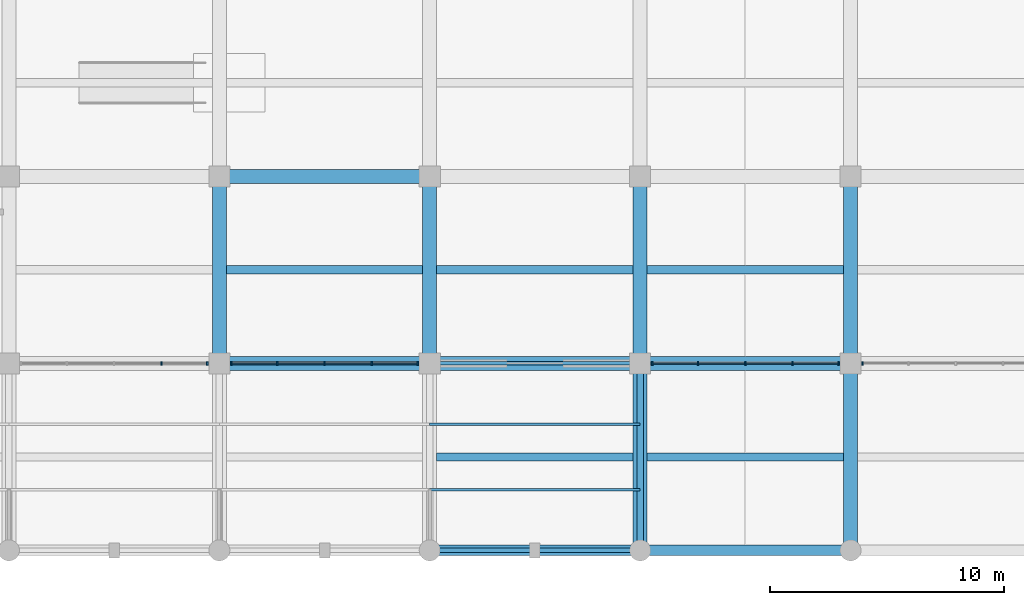
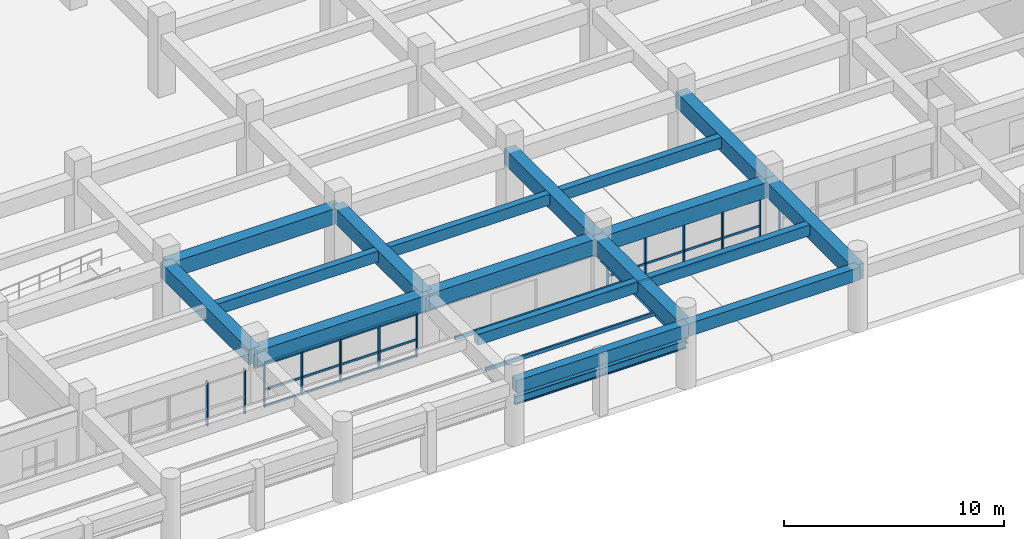
# One storey, part 7 of 40: 24 members, 18 beams, 4 elements without a shape of their own.
"""IFC4 building model written with IfcOpenShell, lengths in metres."""

from ifc_helpers import new_model, si_unit, direction, frame, origin, origin_2d, place, context, subcontext, project, spatial, rectangle, hollow_rectangle, i_section, extrude, material, material_profile, profile_set, type_object, element, aggregate, save


model = new_model("IFC4")

# Units and contexts
model_context = context("Model", 3, precision=1e-05, world=origin(), true_north=direction((0.0, 1.0)))
body_context = subcontext(model_context, "Body", "Model", "MODEL_VIEW")
ifc_project = project(units=[si_unit("LENGTHUNIT", "METRE"), si_unit("AREAUNIT", "SQUARE_METRE"), si_unit("VOLUMEUNIT", "CUBIC_METRE"), si_unit("PLANEANGLEUNIT", "RADIAN"), si_unit("MASSUNIT", "GRAM", prefix="KILO")], contexts=[model_context])

# Site, building, storey
site_placement = place(None, origin())
site = spatial("IfcSite", under=ifc_project, at=site_placement, CompositionType="ELEMENT")
building_placement = place(site_placement, origin())
building = spatial("IfcBuilding", under=site, at=building_placement, Name="Zaverband Oceanarium and Marine Research Institute", CompositionType="ELEMENT")
storey_placement = place(building_placement, origin())
storey = spatial("IfcBuildingStorey", under=building, at=storey_placement, Name="L00", CompositionType="ELEMENT", Elevation=0.0)

# Beams
ifc_material_1 = material(Name="Concrete C40/50", Category="concrete")
ifc_material_profile_1 = material_profile(ifc_material_1, rectangle(XDim=0.60009765625, YDim=0.85009765625, at=origin_2d()), Name="RC600x850")
ifc_profile_set_1 = profile_set([ifc_material_profile_1], Name="Concrete C40/50")
beam_type_1 = type_object("IfcBeamType", Name="BM-600x850", PredefinedType="BEAM", material=ifc_profile_set_1)
for number, where, z_axis, x_axis, name in (
    (1, (99.0, 8.0, 3.02490234375), (1.0, 0.0, 0.0), (0.0, 1.0, 0.0), "Primary floor girder BM-600x850"),
    (2, (108.0, 8.0, 3.02490234375), (1.0, 0.0, 0.0), (0.0, 1.0, 0.0), "Primary floor girder BM-600x850"),
    (3, (117.0, 8.0, 3.02490234375), (1.0, 0.0, 0.0), (0.0, 1.0, 0.0), "Primary floor girder BM-600x850"),
    (4, (99.0, 16.0, 3.02490234375), (1.0, 0.0, 0.0), (0.0, 1.0, 0.0), "Primary floor girder BM-600x850"),
):
    element("IfcBeam", number, at=place(storey_placement, frame(where, z_axis=z_axis, x_axis=x_axis)), inside=storey, type_object=beam_type_1, Name=name, PredefinedType="BEAM", context=body_context, shape_type="SweptSolid", body=[
        extrude(rectangle(XDim=0.60009765625, YDim=0.85009765625, at=origin_2d()), origin(), (0.0, 0.0, 1.0), 9.0),
    ])
for number, where, z_axis, x_axis, name in (
    (5, (99.0, 8.0, 3.02490234375), (0.0, 1.0, 0.0), (-1.0, 0.0, 0.0), "Primary floor girder BM-600x850"),
    (6, (108.0, 8.0, 3.02490234375), (0.0, 1.0, 0.0), (-1.0, 0.0, 0.0), "Primary floor girder BM-600x850"),
    (7, (117.0, 0.0, 3.02490234375), (0.0, 1.0, 0.0), (-1.0, 0.0, 0.0), "Primary floor girder BM-600x850"),
    (8, (117.0, 8.0, 3.02490234375), (0.0, 1.0, 0.0), (-1.0, 0.0, 0.0), "Primary floor girder BM-600x850"),
    (9, (126.0, 0.0, 3.02490234375), (0.0, 1.0, 0.0), (-1.0, 0.0, 0.0), "Primary floor girder BM-600x850"),
    (10, (126.0, 8.0, 3.02490234375), (0.0, 1.0, 0.0), (-1.0, 0.0, 0.0), "Primary floor girder BM-600x850"),
):
    element("IfcBeam", number, at=place(storey_placement, frame(where, z_axis=z_axis, x_axis=x_axis)), inside=storey, type_object=beam_type_1, Name=name, PredefinedType="BEAM", context=body_context, shape_type="SweptSolid", body=[
        extrude(rectangle(XDim=0.60009765625, YDim=0.85009765625, at=origin_2d()), origin(), (0.0, 0.0, 1.0), 8.0),
    ])

# Members
ifc_material_2 = material(Name="Steel S355", Category="steel")
ifc_material_profile_2 = material_profile(ifc_material_2, hollow_rectangle(XDim=0.14990234375, YDim=0.25, WallThickness=0.010009765625, at=origin_2d()), Name="RHS250x150x10")
ifc_profile_set_2 = profile_set([ifc_material_profile_2], Name="Steel S355")
member_type_1 = type_object("IfcMemberType", Name="CHD-RHS250", PredefinedType="CHORD", material=ifc_profile_set_2)
for number, where, z_axis, x_axis, name in (
    (11, (99.0, 8.0, 2.4599609375), (1.0, 0.0, 0.0), (0.0, 1.0, 0.0), "Truss / crown chord CHD-RHS250"),
    (12, (108.0, 8.0, 2.4599609375), (1.0, 0.0, 0.0), (0.0, 1.0, 0.0), "Truss / crown chord CHD-RHS250"),
):
    element("IfcMember", number, at=place(storey_placement, frame(where, z_axis=z_axis, x_axis=x_axis)), inside=storey, type_object=member_type_1, Name=name, PredefinedType="CHORD", context=body_context, shape_type="SweptSolid", body=[
        extrude(hollow_rectangle(XDim=0.14990234375, YDim=0.25, WallThickness=0.010009765625, at=origin_2d()), origin(), (0.0, 0.0, 1.0), 9.0),
    ])

# Beams
ifc_material_profile_3 = material_profile(ifc_material_1, rectangle(XDim=0.35009765625, YDim=0.60009765625, at=origin_2d()), Name="RC350x600")
ifc_profile_set_3 = profile_set([ifc_material_profile_3], Name="Concrete C40/50")
beam_type_2 = type_object("IfcBeamType", Name="JST-350x600", PredefinedType="JOIST", material=ifc_profile_set_3)
for number, where, z_axis, x_axis, name in (
    (13, (99.300048828125, 12.0, 3.14990234375), (1.0, 0.0, 0.0), (0.0, 1.0, 0.0), "Secondary floor joist JST-350x600"),
    (14, (108.300048828125, 4.0, 3.14990234375), (1.0, 0.0, 0.0), (0.0, 1.0, 0.0), "Secondary floor joist JST-350x600"),
    (15, (108.300048828125, 12.0, 3.14990234375), (1.0, 0.0, 0.0), (0.0, 1.0, 0.0), "Secondary floor joist JST-350x600"),
    (16, (117.300048828125, 4.0, 3.14990234375), (1.0, 0.0, 0.0), (0.0, 1.0, 0.0), "Secondary floor joist JST-350x600"),
    (17, (117.300048828125, 12.0, 3.14990234375), (1.0, 0.0, 0.0), (0.0, 1.0, 0.0), "Secondary floor joist JST-350x600"),
):
    element("IfcBeam", number, at=place(storey_placement, frame(where, z_axis=z_axis, x_axis=x_axis)), inside=storey, type_object=beam_type_2, Name=name, PredefinedType="JOIST", context=body_context, shape_type="SweptSolid", body=[
        extrude(rectangle(XDim=0.35009765625, YDim=0.60009765625, at=origin_2d()), origin(), (0.0, 0.0, 1.0), 8.39990234375),
    ])

# Curtain wall, members
ifc_material_3 = material(Name="Thermally broken anodized aluminium and solar-control glass", Category="aluminium")
curtain_wall_type = type_object("IfcCurtainWallType", Name="CW-UNIT-1800", PredefinedType="NOTDEFINED", material=ifc_material_3)
curtain_wall_1_placement = place(storey_placement, origin())
curtain_wall_1 = element("IfcCurtainWall", 18, at=curtain_wall_1_placement, inside=storey, type_object=curtain_wall_type, Name="Unitised glazed curtain wall CW-005", PredefinedType="NOTDEFINED")
ifc_material_4 = material(Name="Thermally broken anodized aluminium", Category="aluminium")
ifc_material_profile_4 = material_profile(ifc_material_4, rectangle(XDim=0.070068359375, YDim=0.14990234375, at=origin_2d()), Name="AL-MUL-70x150")
ifc_profile_set_4 = profile_set([ifc_material_profile_4], Name="Thermally broken anodized aluminium")
member_type_2 = type_object("IfcMemberType", Name="MUL-70x150", PredefinedType="MULLION", material=ifc_profile_set_4)
member_1_placement = place(storey_placement, frame((96.5224609375, 8.0, 0.0), z_axis=(0.0, 0.0, 1.0), x_axis=(1.0, 0.0, 0.0)))
member_1 = element("IfcMember", 19, at=member_1_placement, type_object=member_type_2, Name="Curtain wall vertical mullion MUL-70x150", PredefinedType="MULLION", context=body_context, shape_type="SweptSolid", body=[
    extrude(rectangle(XDim=0.070068359375, YDim=0.14990234375, at=origin_2d()), origin(), (0.0, 0.0, 1.0), 2.489990234375),
])
member_2_placement = place(storey_placement, frame((98.485107421875, 8.0, 0.0), z_axis=(0.0, 0.0, 1.0), x_axis=(1.0, 0.0, 0.0)))
member_2 = element("IfcMember", 20, at=member_2_placement, type_object=member_type_2, Name="Curtain wall vertical mullion MUL-70x150", PredefinedType="MULLION", context=body_context, shape_type="SweptSolid", body=[
    extrude(rectangle(XDim=0.070068359375, YDim=0.14990234375, at=origin_2d()), origin(), (0.0, 0.0, 1.0), 2.489990234375),
])
aggregate(curtain_wall_1, [member_1, member_2])

curtain_wall_2_placement = place(storey_placement, origin())
curtain_wall_2 = element("IfcCurtainWall", 21, at=curtain_wall_2_placement, inside=storey, type_object=curtain_wall_type, Name="Unitised glazed curtain wall CW-006", PredefinedType="NOTDEFINED")
member_3_placement = place(storey_placement, frame((99.514892578125, 8.0, 0.0), z_axis=(0.0, 0.0, 1.0), x_axis=(1.0, 0.0, 0.0)))
member_3 = element("IfcMember", 22, at=member_3_placement, type_object=member_type_2, Name="Curtain wall vertical mullion MUL-70x150", PredefinedType="MULLION", context=body_context, shape_type="SweptSolid", body=[
    extrude(rectangle(XDim=0.070068359375, YDim=0.14990234375, at=origin_2d()), origin(), (0.0, 0.0, 1.0), 2.489990234375),
])
member_4_placement = place(storey_placement, frame((101.4775390625, 8.0, 0.0), z_axis=(0.0, 0.0, 1.0), x_axis=(1.0, 0.0, 0.0)))
member_4 = element("IfcMember", 23, at=member_4_placement, type_object=member_type_2, Name="Curtain wall vertical mullion MUL-70x150", PredefinedType="MULLION", context=body_context, shape_type="SweptSolid", body=[
    extrude(rectangle(XDim=0.070068359375, YDim=0.14990234375, at=origin_2d()), origin(), (0.0, 0.0, 1.0), 2.489990234375),
])
member_5_placement = place(storey_placement, frame((103.5, 8.0, 0.0), z_axis=(0.0, 0.0, 1.0), x_axis=(1.0, 0.0, 0.0)))
member_5 = element("IfcMember", 24, at=member_5_placement, type_object=member_type_2, Name="Curtain wall vertical mullion MUL-70x150", PredefinedType="MULLION", context=body_context, shape_type="SweptSolid", body=[
    extrude(rectangle(XDim=0.070068359375, YDim=0.14990234375, at=origin_2d()), origin(), (0.0, 0.0, 1.0), 2.489990234375),
])
member_6_placement = place(storey_placement, frame((105.5224609375, 8.0, 0.0), z_axis=(0.0, 0.0, 1.0), x_axis=(1.0, 0.0, 0.0)))
member_6 = element("IfcMember", 25, at=member_6_placement, type_object=member_type_2, Name="Curtain wall vertical mullion MUL-70x150", PredefinedType="MULLION", context=body_context, shape_type="SweptSolid", body=[
    extrude(rectangle(XDim=0.070068359375, YDim=0.14990234375, at=origin_2d()), origin(), (0.0, 0.0, 1.0), 2.489990234375),
])
member_7_placement = place(storey_placement, frame((107.485107421875, 8.0, 0.0), z_axis=(0.0, 0.0, 1.0), x_axis=(1.0, 0.0, 0.0)))
member_7 = element("IfcMember", 26, at=member_7_placement, type_object=member_type_2, Name="Curtain wall vertical mullion MUL-70x150", PredefinedType="MULLION", context=body_context, shape_type="SweptSolid", body=[
    extrude(rectangle(XDim=0.070068359375, YDim=0.14990234375, at=origin_2d()), origin(), (0.0, 0.0, 1.0), 2.489990234375),
])

curtain_wall_3_placement = place(storey_placement, origin())
curtain_wall_3 = element("IfcCurtainWall", 27, at=curtain_wall_3_placement, inside=storey, type_object=curtain_wall_type, Name="Unitised glazed curtain wall CW-007", PredefinedType="NOTDEFINED")
member_8_placement = place(storey_placement, frame((117.514892578125, 8.0, 0.0), z_axis=(0.0, 0.0, 1.0), x_axis=(1.0, 0.0, 0.0)))
member_8 = element("IfcMember", 28, at=member_8_placement, type_object=member_type_2, Name="Curtain wall vertical mullion MUL-70x150", PredefinedType="MULLION", context=body_context, shape_type="SweptSolid", body=[
    extrude(rectangle(XDim=0.070068359375, YDim=0.14990234375, at=origin_2d()), origin(), (0.0, 0.0, 1.0), 2.489990234375),
])
member_9_placement = place(storey_placement, frame((119.4775390625, 8.0, 0.0), z_axis=(0.0, 0.0, 1.0), x_axis=(1.0, 0.0, 0.0)))
member_9 = element("IfcMember", 29, at=member_9_placement, type_object=member_type_2, Name="Curtain wall vertical mullion MUL-70x150", PredefinedType="MULLION", context=body_context, shape_type="SweptSolid", body=[
    extrude(rectangle(XDim=0.070068359375, YDim=0.14990234375, at=origin_2d()), origin(), (0.0, 0.0, 1.0), 2.489990234375),
])
member_10_placement = place(storey_placement, frame((121.5, 8.0, 0.0), z_axis=(0.0, 0.0, 1.0), x_axis=(1.0, 0.0, 0.0)))
member_10 = element("IfcMember", 30, at=member_10_placement, type_object=member_type_2, Name="Curtain wall vertical mullion MUL-70x150", PredefinedType="MULLION", context=body_context, shape_type="SweptSolid", body=[
    extrude(rectangle(XDim=0.070068359375, YDim=0.14990234375, at=origin_2d()), origin(), (0.0, 0.0, 1.0), 2.489990234375),
])
member_11_placement = place(storey_placement, frame((123.5224609375, 8.0, 0.0), z_axis=(0.0, 0.0, 1.0), x_axis=(1.0, 0.0, 0.0)))
member_11 = element("IfcMember", 31, at=member_11_placement, type_object=member_type_2, Name="Curtain wall vertical mullion MUL-70x150", PredefinedType="MULLION", context=body_context, shape_type="SweptSolid", body=[
    extrude(rectangle(XDim=0.070068359375, YDim=0.14990234375, at=origin_2d()), origin(), (0.0, 0.0, 1.0), 2.489990234375),
])
member_12_placement = place(storey_placement, frame((125.485107421875, 8.0, 0.0), z_axis=(0.0, 0.0, 1.0), x_axis=(1.0, 0.0, 0.0)))
member_12 = element("IfcMember", 32, at=member_12_placement, type_object=member_type_2, Name="Curtain wall vertical mullion MUL-70x150", PredefinedType="MULLION", context=body_context, shape_type="SweptSolid", body=[
    extrude(rectangle(XDim=0.070068359375, YDim=0.14990234375, at=origin_2d()), origin(), (0.0, 0.0, 1.0), 2.489990234375),
])

# Curtain wall, member
curtain_wall_4_placement = place(storey_placement, origin())
curtain_wall_4 = element("IfcCurtainWall", 33, at=curtain_wall_4_placement, inside=storey, type_object=curtain_wall_type, Name="Unitised glazed curtain wall CW-008", PredefinedType="NOTDEFINED")
member_13_placement = place(storey_placement, frame((126.514892578125, 8.0, 0.0), z_axis=(0.0, 0.0, 1.0), x_axis=(1.0, 0.0, 0.0)))
member_13 = element("IfcMember", 34, at=member_13_placement, type_object=member_type_2, Name="Curtain wall vertical mullion MUL-70x150", PredefinedType="MULLION", context=body_context, shape_type="SweptSolid", body=[
    extrude(rectangle(XDim=0.070068359375, YDim=0.14990234375, at=origin_2d()), origin(), (0.0, 0.0, 1.0), 2.489990234375),
])
aggregate(curtain_wall_4, [member_13])

# Members
ifc_material_profile_5 = material_profile(ifc_material_2, hollow_rectangle(XDim=0.10009765625, YDim=0.199951171875, WallThickness=0.008056640625, at=origin_2d()), Name="RHS200x100x8")
ifc_profile_set_5 = profile_set([ifc_material_profile_5], Name="Steel S355")
member_type_3 = type_object("IfcMemberType", Name="PUR-RHS200", PredefinedType="PURLIN", material=ifc_profile_set_5)
for number, where, z_axis, x_axis, name in (
    (35, (108.0, 2.60009765625, 2.3798828125), (1.0, 0.0, 0.0), (0.0, 1.0, 0.0), "Screen / canopy purlin PUR-RHS200"),
    (36, (108.0, 5.39990234375, 2.39990234375), (1.0, 0.0, 0.0), (0.0, 1.0, 0.0), "Screen / canopy purlin PUR-RHS200"),
):
    element("IfcMember", number, at=place(storey_placement, frame(where, z_axis=z_axis, x_axis=x_axis)), inside=storey, type_object=member_type_3, Name=name, PredefinedType="PURLIN", context=body_context, shape_type="SweptSolid", body=[
        extrude(hollow_rectangle(XDim=0.10009765625, YDim=0.199951171875, WallThickness=0.008056640625, at=origin_2d()), origin(), (0.0, 0.0, 1.0), 9.0),
    ])
ifc_material_profile_6 = material_profile(ifc_material_2, i_section(OverallWidth=0.280029296875, OverallDepth=0.27001953125, WebThickness=0.008056640625, FlangeThickness=0.012939453125, FilletRadius=0.02392578125, at=origin_2d()), Name="HEA280")
ifc_profile_set_6 = profile_set([ifc_material_profile_6], Name="Steel S355")
member_type_4 = type_object("IfcMemberType", Name="RAF-HEA280", PredefinedType="RAFTER", material=ifc_profile_set_6)
member_14_placement = place(storey_placement, frame((117.0, 0.0, 2.340087890625), z_axis=(0.0, 0.999972049853, 0.007476597663), x_axis=(-1.0, 0.0, 0.0)))
element("IfcMember", 37, at=member_14_placement, inside=storey, type_object=member_type_4, Name="Canopy / skylight rafter RAF-HEA280", PredefinedType="RAFTER", context=body_context, shape_type="SweptSolid", body=[
    extrude(i_section(OverallWidth=0.280029296875, OverallDepth=0.27001953125, WebThickness=0.008056640625, FlangeThickness=0.012939453125, FilletRadius=0.02392578125, at=origin_2d()), origin(), (0.0, 0.0, 1.0), 8.000244140625),
])

# Beams
ifc_material_profile_7 = material_profile(ifc_material_2, i_section(OverallWidth=0.18994140625, OverallDepth=0.449951171875, WebThickness=0.009521484375, FlangeThickness=0.0146484375, FilletRadius=0.02099609375, at=origin_2d()), Name="IPE450")
ifc_profile_set_7 = profile_set([ifc_material_profile_7], Name="Steel S355")
beam_type_3 = type_object("IfcBeamType", Name="SB-IPE450", PredefinedType="BEAM", material=ifc_profile_set_7)
beam_placement = place(storey_placement, frame((108.0, 0.0, 2.2548828125), z_axis=(1.0, 0.0, 0.0), x_axis=(0.0, 1.0, 0.0)))
element("IfcBeam", 38, at=beam_placement, inside=storey, type_object=beam_type_3, Name="Canopy spine beam SB-IPE450", PredefinedType="BEAM", context=body_context, shape_type="SweptSolid", body=[
    extrude(i_section(OverallWidth=0.18994140625, OverallDepth=0.449951171875, WebThickness=0.009521484375, FlangeThickness=0.0146484375, FilletRadius=0.02099609375, at=origin_2d()), origin(), (0.0, 0.0, 1.0), 9.0),
])
ifc_material_profile_8 = material_profile(ifc_material_1, rectangle(XDim=0.449951171875, YDim=0.699951171875, at=origin_2d()), Name="RC450x700")
ifc_profile_set_8 = profile_set([ifc_material_profile_8], Name="Concrete C40/50")
beam_type_4 = type_object("IfcBeamType", Name="SPN-450x700", PredefinedType="SPANDREL", material=ifc_profile_set_8)
for number, where, z_axis, x_axis, name in (
    (39, (108.0, 0.0, 3.10009765625), (1.0, 0.0, 0.0), (0.0, 1.0, 0.0), "Perimeter spandrel beam SPN-450x700"),
    (40, (117.0, 0.0, 3.10009765625), (1.0, 0.0, 0.0), (0.0, 1.0, 0.0), "Perimeter spandrel beam SPN-450x700"),
):
    element("IfcBeam", number, at=place(storey_placement, frame(where, z_axis=z_axis, x_axis=x_axis)), inside=storey, type_object=beam_type_4, Name=name, PredefinedType="SPANDREL", context=body_context, shape_type="SweptSolid", body=[
        extrude(rectangle(XDim=0.449951171875, YDim=0.699951171875, at=origin_2d()), origin(), (0.0, 0.0, 1.0), 9.0),
    ])

# Member
ifc_material_profile_9 = material_profile(ifc_material_4, rectangle(XDim=0.070068359375, YDim=0.114990234375, at=origin_2d()), Name="AL-TRN-70x115")
ifc_profile_set_9 = profile_set([ifc_material_profile_9], Name="Thermally broken anodized aluminium")
member_type_5 = type_object("IfcMemberType", Name="TRN-70x115", PredefinedType="USERDEFINED", material=ifc_profile_set_9)
member_15_placement = place(storey_placement, frame((99.514892578125, 8.0, 0.050048828125), z_axis=(1.0, 0.0, 0.0), x_axis=(0.0, 1.0, 0.0)))
member_15 = element("IfcMember", 41, at=member_15_placement, type_object=member_type_5, Name="Curtain wall horizontal transom TRN-70x115", ObjectType="TRANSOM", PredefinedType="USERDEFINED", context=body_context, shape_type="SweptSolid", body=[
    extrude(rectangle(XDim=0.070068359375, YDim=0.114990234375, at=origin_2d()), origin(), (0.0, 0.0, 1.0), 7.97021484375),
])

member_16_placement = place(storey_placement, frame((99.514892578125, 8.0, 0.951904296875), z_axis=(1.0, 0.0, 0.0), x_axis=(0.0, 1.0, 0.0)))
member_16 = element("IfcMember", 42, at=member_16_placement, type_object=member_type_5, Name="Curtain wall horizontal transom TRN-70x115", ObjectType="TRANSOM", PredefinedType="USERDEFINED", context=body_context, shape_type="SweptSolid", body=[
    extrude(rectangle(XDim=0.070068359375, YDim=0.114990234375, at=origin_2d()), origin(), (0.0, 0.0, 1.0), 7.97021484375),
])

member_17_placement = place(storey_placement, frame((99.514892578125, 8.0, 2.43994140625), z_axis=(1.0, 0.0, 0.0), x_axis=(0.0, 1.0, 0.0)))
member_17 = element("IfcMember", 43, at=member_17_placement, type_object=member_type_5, Name="Curtain wall horizontal transom TRN-70x115", ObjectType="TRANSOM", PredefinedType="USERDEFINED", context=body_context, shape_type="SweptSolid", body=[
    extrude(rectangle(XDim=0.070068359375, YDim=0.114990234375, at=origin_2d()), origin(), (0.0, 0.0, 1.0), 7.97021484375),
])

aggregate(curtain_wall_2, [member_3, member_4, member_5, member_6, member_7, member_15, member_16, member_17])

member_18_placement = place(storey_placement, frame((117.514892578125, 8.0, 0.050048828125), z_axis=(1.0, 0.0, 0.0), x_axis=(0.0, 1.0, 0.0)))
member_18 = element("IfcMember", 44, at=member_18_placement, type_object=member_type_5, Name="Curtain wall horizontal transom TRN-70x115", ObjectType="TRANSOM", PredefinedType="USERDEFINED", context=body_context, shape_type="SweptSolid", body=[
    extrude(rectangle(XDim=0.070068359375, YDim=0.114990234375, at=origin_2d()), origin(), (0.0, 0.0, 1.0), 7.97021484375),
])

member_19_placement = place(storey_placement, frame((117.514892578125, 8.0, 0.951904296875), z_axis=(1.0, 0.0, 0.0), x_axis=(0.0, 1.0, 0.0)))
member_19 = element("IfcMember", 45, at=member_19_placement, type_object=member_type_5, Name="Curtain wall horizontal transom TRN-70x115", ObjectType="TRANSOM", PredefinedType="USERDEFINED", context=body_context, shape_type="SweptSolid", body=[
    extrude(rectangle(XDim=0.070068359375, YDim=0.114990234375, at=origin_2d()), origin(), (0.0, 0.0, 1.0), 7.97021484375),
])

member_20_placement = place(storey_placement, frame((117.514892578125, 8.0, 2.43994140625), z_axis=(1.0, 0.0, 0.0), x_axis=(0.0, 1.0, 0.0)))
member_20 = element("IfcMember", 46, at=member_20_placement, type_object=member_type_5, Name="Curtain wall horizontal transom TRN-70x115", ObjectType="TRANSOM", PredefinedType="USERDEFINED", context=body_context, shape_type="SweptSolid", body=[
    extrude(rectangle(XDim=0.070068359375, YDim=0.114990234375, at=origin_2d()), origin(), (0.0, 0.0, 1.0), 7.97021484375),
])

aggregate(curtain_wall_3, [member_8, member_9, member_10, member_11, member_12, member_18, member_19, member_20])

save(model, "model.ifc")
